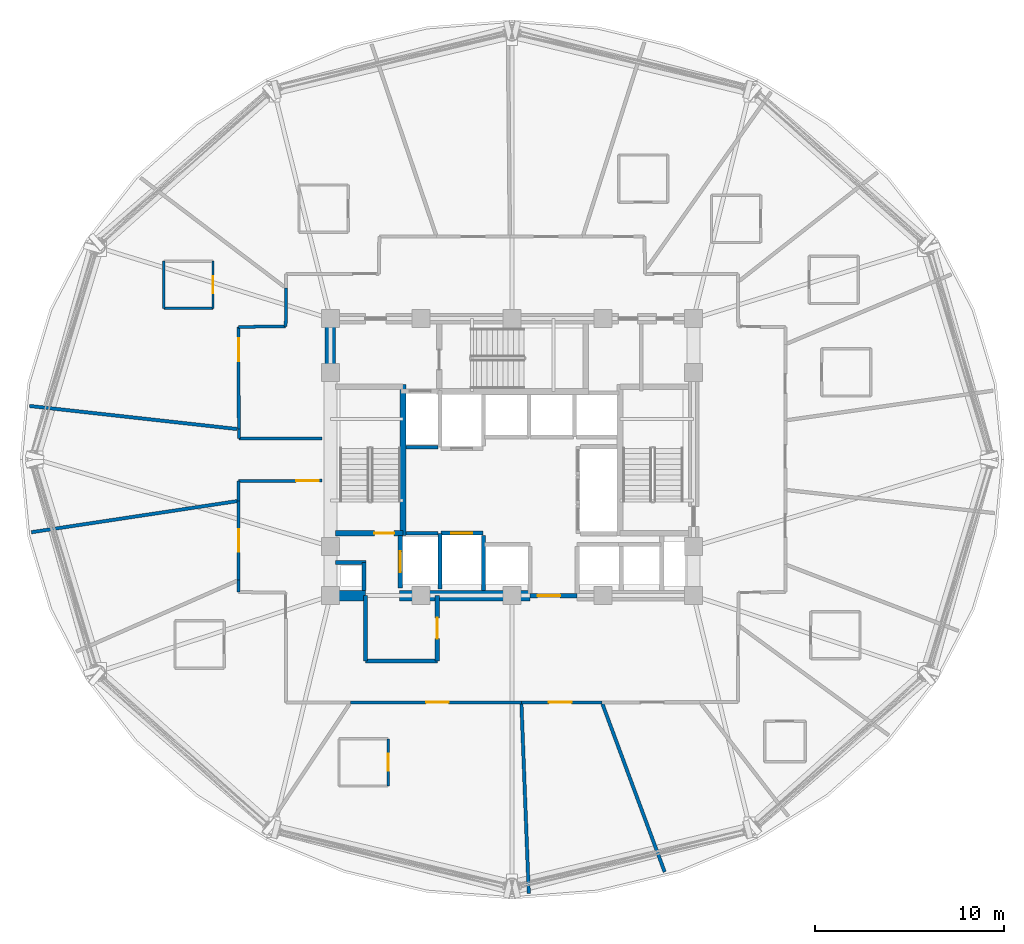
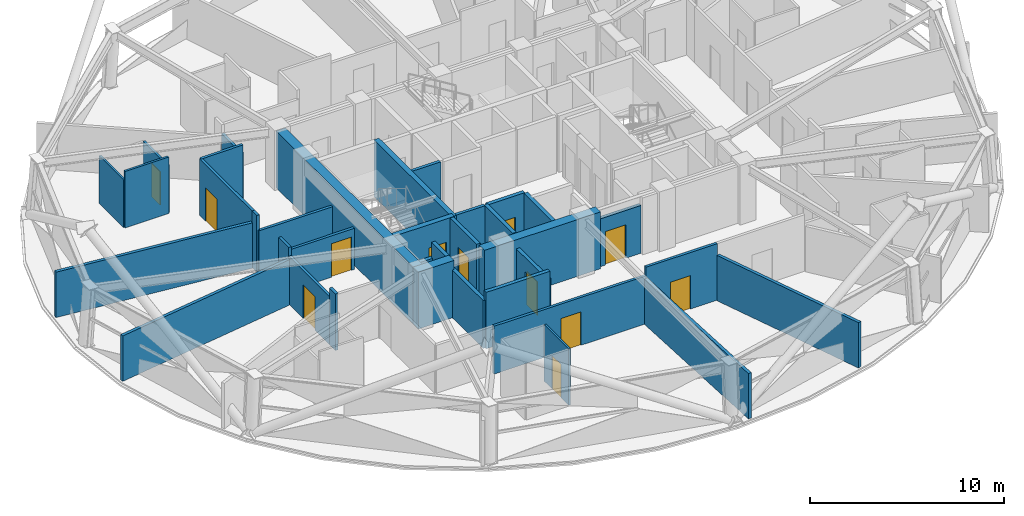
# One storey, part 6 of 13: 36 walls, 12 doors, 12 openings.
"""IFC4 building model written with IfcOpenShell, lengths in metres."""

from ifc_helpers import new_model, si_unit, direction, frame, frame_2d, origin, place, context, subcontext, project, spatial, rectangle, extrude, material, layer, layer_set, type_object, element, fill, save


model = new_model("IFC4")

# Units and contexts
model_context = context("Model", 3, precision=1e-05, world=origin(), true_north=direction((0.0, 1.0)))
body_context = subcontext(model_context, "Body", "Model", "MODEL_VIEW")
ifc_project = project(units=[si_unit("LENGTHUNIT", "METRE"), si_unit("AREAUNIT", "SQUARE_METRE"), si_unit("VOLUMEUNIT", "CUBIC_METRE"), si_unit("PLANEANGLEUNIT", "RADIAN"), si_unit("MASSUNIT", "GRAM", prefix="KILO")], contexts=[model_context])

# Site, building, storey
site_placement = place(None, origin())
site = spatial("IfcSite", under=ifc_project, at=site_placement, CompositionType="ELEMENT")
building_placement = place(site_placement, origin())
building = spatial("IfcBuilding", under=site, at=building_placement, Name="Vantalir Tower", CompositionType="ELEMENT")
storey_placement = place(building_placement, frame((0.0, 0.0, 127.199951171875)))
storey = spatial("IfcBuildingStorey", under=building, at=storey_placement, Name="L31", CompositionType="ELEMENT", Elevation=127.199951171875)

# Walls
ifc_material_1 = material(Name="Moisture-resistant en-suite partition", Category="gypsum")
ifc_layer_1 = layer(ifc_material_1, 0.125)
ifc_layer_set_1 = layer_set([ifc_layer_1], Name="Moisture-resistant en-suite partition")
wall_type_1 = type_object("IfcWallType", Name="WL-BATH-125", PredefinedType="PARTITIONING", material=ifc_layer_set_1)
wall_1_placement = place(storey_placement, frame((13.090087890625, 32.993896484375, 0.0), z_axis=(0.0, 0.0, 1.0), x_axis=(1.0, 0.0, 0.0)))
element("IfcWall", 1, at=wall_1_placement, inside=storey, type_object=wall_type_1, Name="L31 En-suite 08 South Wall", PredefinedType="PARTITIONING", context=body_context, shape_type="SweptSolid", body=[
    extrude(rectangle(XDim=2.599853515625, YDim=0.125, at=frame_2d((1.2998046875, 0.0))), origin(), (0.0, 0.0, 1.0), 3.550048828125),
])
wall_2_placement = place(storey_placement, frame((13.090087890625, 32.993896484375, 0.0), z_axis=(0.0, 0.0, 1.0), x_axis=(0.0, 1.0, 0.0)))
element("IfcWall", 2, at=wall_2_placement, inside=storey, type_object=wall_type_1, Name="L31 En-suite 08 West Wall", PredefinedType="PARTITIONING", context=body_context, shape_type="SweptSolid", body=[
    extrude(rectangle(XDim=2.5, YDim=0.125, at=frame_2d((1.25, 0.0))), origin(), (0.0, 0.0, 1.0), 3.006103515625),
])

# Wall, opening, door
wall_3_placement = place(storey_placement, frame((15.68994140625, 32.993896484375, 0.0), z_axis=(0.0, 0.0, 1.0), x_axis=(0.0, 1.0, 0.0)))
wall_3 = element("IfcWall", 3, at=wall_3_placement, inside=storey, type_object=wall_type_1, Name="L31 En-suite 08 East Wall", PredefinedType="PARTITIONING", context=body_context, shape_type="SweptSolid", body=[
    extrude(rectangle(XDim=2.5, YDim=0.125, at=frame_2d((1.25, 0.0))), origin(), (0.0, 0.0, 1.0), 3.006103515625),
])
opening_1_placement = place(wall_3_placement, frame((0.800048828125, 0.0, 0.0)))
opening_1 = element("IfcOpeningElement", 4, at=opening_1_placement, cuts=wall_3, Name="Opening D-WC", PredefinedType="OPENING", context=body_context, shape_type="SweptSolid", body=[
    extrude(rectangle(XDim=0.89990234375, YDim=2.10009765625, at=frame_2d((0.449951171875, 1.050048828125))), frame((0.0, 0.072509765625, 0.0), z_axis=(0.0, -1.0, 0.0), x_axis=(1.0, 0.0, 0.0)), (0.0, 0.0, 1.0), 0.14501953125),
])
ifc_material_2 = material(Name="Moisture-resistant hardwood door", Category="wood")
door_type_1 = type_object("IfcDoorType", Name="DR-ENSUITE-900", OperationType="NOTDEFINED", PredefinedType="DOOR", material=ifc_material_2)
door_1_placement = place(opening_1_placement, origin())
door_1 = element("IfcDoor", 5, at=door_1_placement, inside=storey, type_object=door_type_1, Name="L31 En-suite 08 Door", OperationType="SINGLE_SWING_RIGHT", OverallHeight=2.10009765625, OverallWidth=0.89990234375, PredefinedType="DOOR", context=body_context, shape_type="SweptSolid", body=[
    extrude(rectangle(XDim=0.89990234375, YDim=2.10009765625, at=frame_2d((0.449951171875, 1.050048828125))), frame((0.0, 0.02490234375, 0.0), z_axis=(0.0, -1.0, 0.0), x_axis=(1.0, 0.0, 0.0)), (0.0, 0.0, 1.0), 0.050048828125),
])
fill(opening_1, door_1)

wall_4_placement = place(storey_placement, frame((24.9541015625, 7.735107421875, 0.0), z_axis=(0.0, 0.0, 1.0), x_axis=(0.0, 1.0, 0.0)))
wall_4 = element("IfcWall", 6, at=wall_4_placement, inside=storey, type_object=wall_type_1, Name="L31 En-suite 12 East Wall", PredefinedType="PARTITIONING", context=body_context, shape_type="SweptSolid", body=[
    extrude(rectangle(XDim=2.5, YDim=0.125, at=frame_2d((1.25, 0.0))), origin(), (0.0, 0.0, 1.0), 3.550048828125),
])
opening_2_placement = place(wall_4_placement, frame((0.800048828125, 0.0, 0.0)))
opening_2 = element("IfcOpeningElement", 7, at=opening_2_placement, cuts=wall_4, Name="Opening D-WC", PredefinedType="OPENING", context=body_context, shape_type="SweptSolid", body=[
    extrude(rectangle(XDim=0.89990234375, YDim=2.10009765625, at=frame_2d((0.449951171875, 1.050048828125))), frame((0.0, 0.072509765625, 0.0), z_axis=(0.0, -1.0, 0.0), x_axis=(1.0, 0.0, 0.0)), (0.0, 0.0, 1.0), 0.14501953125),
])
door_2_placement = place(opening_2_placement, origin())
door_2 = element("IfcDoor", 8, at=door_2_placement, inside=storey, type_object=door_type_1, Name="L31 En-suite 12 Door", OperationType="SINGLE_SWING_RIGHT", OverallHeight=2.10009765625, OverallWidth=0.89990234375, PredefinedType="DOOR", context=body_context, shape_type="SweptSolid", body=[
    extrude(rectangle(XDim=0.89990234375, YDim=2.10009765625, at=frame_2d((0.449951171875, 1.050048828125))), frame((0.0, 0.02490234375, 0.0), z_axis=(0.0, -1.0, 0.0), x_axis=(1.0, 0.0, 0.0)), (0.0, 0.0, 1.0), 0.050048828125),
])
fill(opening_2, door_2)

# Walls
ifc_material_3 = material(Name="Concrete C60/75", Category="concrete")
ifc_layer_2 = layer(ifc_material_3, 0.550048828125)
ifc_layer_set_2 = layer_set([ifc_layer_2], Name="Concrete C60/75")
wall_type_2 = type_object("IfcWallType", Name="WL-CORE-550", PredefinedType="SHEAR", material=ifc_layer_set_2)
wall_5_placement = place(storey_placement, frame((21.625, 17.800048828125, 0.0), z_axis=(0.0, 0.0, 1.0), x_axis=(1.0, 0.0, 0.0)))
element("IfcWall", 9, at=wall_5_placement, inside=storey, type_object=wall_type_2, Name="L31 Core Shear Wall South-West", PredefinedType="SHEAR", context=body_context, shape_type="SweptSolid", body=[
    extrude(rectangle(XDim=2.125, YDim=0.550048828125, at=frame_2d((1.0625, 0.0))), origin(), (0.0, 0.0, 1.0), 3.570068359375),
])
wall_6_placement = place(storey_placement, frame((25.550048828125, 17.800048828125, 0.0), z_axis=(0.0, 0.0, 1.0), x_axis=(1.0, 0.0, 0.0)))
element("IfcWall", 10, at=wall_6_placement, inside=storey, type_object=wall_type_2, Name="L31 Core Shear Wall South-Mid", PredefinedType="SHEAR", context=body_context, shape_type="SweptSolid", body=[
    extrude(rectangle(XDim=6.89990234375, YDim=0.550048828125, at=frame_2d((3.449951171875, 0.0))), origin(), (0.0, 0.0, 1.0), 3.570068359375),
])
wall_7_placement = place(storey_placement, frame((21.89990234375, 18.074951171875, 0.0), z_axis=(0.0, 0.0, 1.0), x_axis=(0.0, 1.0, 0.0)))
element("IfcWall", 11, at=wall_7_placement, inside=storey, type_object=wall_type_2, Name="L31 Core Shear Wall West", PredefinedType="SHEAR", context=body_context, shape_type="SweptSolid", body=[
    extrude(rectangle(XDim=14.10009765625, YDim=0.550048828125, at=frame_2d((7.050048828125, 0.0))), origin(), (0.0, 0.0, 1.0), 3.570068359375),
])
ifc_material_4 = material(Name="Fire-rated hotel corridor acoustic partition", Category="gypsum")
ifc_layer_3 = layer(ifc_material_4, 0.159912109375)
ifc_layer_set_3 = layer_set([ifc_layer_3], Name="Fire-rated hotel corridor acoustic partition")
wall_type_3 = type_object("IfcWallType", Name="WL-CORR-160", PredefinedType="PARTITIONING", material=ifc_layer_set_3)
wall_8_placement = place(storey_placement, frame((21.445068359375, 26.114990234375, 0.0), z_axis=(0.0, 0.0, 1.0), x_axis=(-0.999997401834, 0.002279544839, 0.0)))
element("IfcWall", 12, at=wall_8_placement, inside=storey, type_object=wall_type_3, Name="L31 Corridor Partition 01", PredefinedType="PARTITIONING", context=body_context, shape_type="SweptSolid", body=[
    extrude(rectangle(XDim=4.39111328125, YDim=0.159912109375, at=frame_2d((2.195556640625, 0.0))), origin(), (0.0, 0.0, 1.0), 2.594970703125),
])
wall_9_placement = place(storey_placement, frame((17.053955078125, 26.125, 0.0), z_axis=(0.0, 0.0, 1.0), x_axis=(-0.002038731747, 0.999997921784, 0.0)))
element("IfcWall", 13, at=wall_9_placement, inside=storey, type_object=wall_type_3, Name="L31 Corridor Partition 02", PredefinedType="PARTITIONING", context=body_context, shape_type="SweptSolid", body=[
    extrude(rectangle(XDim=0.47900390625, YDim=0.159912109375, at=frame_2d((0.239501953125, 0.0))), origin(), (0.0, 0.0, 1.0), 3.550048828125),
])

# Wall, opening, door
wall_10_placement = place(storey_placement, frame((17.052978515625, 26.60400390625, 0.0), z_axis=(0.0, 0.0, 1.0), x_axis=(-0.001083471894, 0.999999413044, 0.0)))
wall_10 = element("IfcWall", 14, at=wall_10_placement, inside=storey, type_object=wall_type_3, Name="L31 Corridor Partition 03", PredefinedType="PARTITIONING", context=body_context, shape_type="SweptSolid", body=[
    extrude(rectangle(XDim=5.407958984375, YDim=0.159912109375, at=frame_2d((2.7041015625, 0.0))), origin(), (0.0, 0.0, 1.0), 3.550048828125),
])
opening_3_placement = place(wall_10_placement, frame((3.59912109375, 0.0, 0.0)))
opening_3 = element("IfcOpeningElement", 15, at=opening_3_placement, cuts=wall_10, Name="Opening D-STE", PredefinedType="OPENING", context=body_context, shape_type="SweptSolid", body=[
    extrude(rectangle(XDim=1.199951171875, YDim=2.10009765625, at=frame_2d((0.60009765625, 1.050048828125))), frame((0.0, 0.08984375, 0.0), z_axis=(0.0, -1.0, 0.0), x_axis=(1.0, 0.0, 0.0)), (0.0, 0.0, 1.0), 0.179931640625),
])
ifc_material_5 = material(Name="Solid-core teak veneer suite entrance door", Category="wood")
door_type_2 = type_object("IfcDoorType", Name="DR-SUITE-ENTRY-1200", OperationType="NOTDEFINED", PredefinedType="DOOR", material=ifc_material_5)
door_3_placement = place(opening_3_placement, origin())
door_3 = element("IfcDoor", 16, at=door_3_placement, inside=storey, type_object=door_type_2, Name="L31 Corner Panorama Hotel Suite 08 Door", OperationType="SINGLE_SWING_LEFT", OverallHeight=2.10009765625, OverallWidth=1.199951171875, PredefinedType="DOOR", context=body_context, shape_type="SweptSolid", body=[
    extrude(rectangle(XDim=1.199951171875, YDim=2.10009765625, at=frame_2d((0.60009765625, 1.050048828125))), frame((0.0, 0.02490234375, 0.0), z_axis=(0.0, -1.0, 0.0), x_axis=(1.0, 0.0, 0.0)), (0.0, 0.0, 1.0), 0.050048828125),
])
fill(opening_3, door_3)

# Walls
wall_11_placement = place(storey_placement, frame((17.047119140625, 32.011962890625, 0.0), z_axis=(0.0, 0.0, 1.0), x_axis=(0.999936323991, 0.011284855472, 0.0)))
element("IfcWall", 17, at=wall_11_placement, inside=storey, type_object=wall_type_3, Name="L31 Corridor Partition 04", PredefinedType="PARTITIONING", context=body_context, shape_type="SweptSolid", body=[
    extrude(rectangle(XDim=2.488037109375, YDim=0.159912109375, at=frame_2d((1.244140625, 0.0))), origin(), (0.0, 0.0, 1.0), 3.550048828125),
])
wall_12_placement = place(storey_placement, frame((19.534912109375, 32.0400390625, 0.0), z_axis=(0.0, 0.0, 1.0), x_axis=(0.008934683203, 0.999960084921, 0.0)))
element("IfcWall", 18, at=wall_12_placement, inside=storey, type_object=wall_type_3, Name="L31 Corridor Partition 05", PredefinedType="PARTITIONING", context=body_context, shape_type="SweptSolid", body=[
    extrude(rectangle(XDim=2.02197265625, YDim=0.159912109375, at=frame_2d((1.010986328125, 0.0))), origin(), (0.0, 0.0, 1.0), 3.006103515625),
])

# Wall, opening, door
wall_13_placement = place(storey_placement, frame((36.2509765625, 12.1640625, 0.0), z_axis=(0.0, 0.0, 1.0), x_axis=(-0.999999894645, -0.000459031395, 0.0)))
wall_13 = element("IfcWall", 19, at=wall_13_placement, inside=storey, type_object=wall_type_3, Name="L31 Corridor Partition 28", PredefinedType="PARTITIONING", context=body_context, shape_type="SweptSolid", body=[
    extrude(rectangle(XDim=4.2548828125, YDim=0.159912109375, at=frame_2d((2.12744140625, 0.0))), origin(), (0.0, 0.0, 1.0), 3.550048828125),
])
opening_4_placement = place(wall_13_placement, frame((1.59912109375, 0.0, 0.0)))
opening_4 = element("IfcOpeningElement", 20, at=opening_4_placement, cuts=wall_13, Name="Opening D-STE", PredefinedType="OPENING", context=body_context, shape_type="SweptSolid", body=[
    extrude(rectangle(XDim=1.199951171875, YDim=2.10009765625, at=frame_2d((0.60009765625, 1.050048828125))), frame((0.0, 0.08984375, 0.0), z_axis=(0.0, -1.0, 0.0), x_axis=(1.0, 0.0, 0.0)), (0.0, 0.0, 1.0), 0.179931640625),
])
door_4_placement = place(opening_4_placement, origin())
door_4 = element("IfcDoor", 21, at=door_4_placement, inside=storey, type_object=door_type_2, Name="L31 Club Reading Lounge 13 Door", OperationType="SINGLE_SWING_RIGHT", OverallHeight=2.10009765625, OverallWidth=1.199951171875, PredefinedType="DOOR", context=body_context, shape_type="SweptSolid", body=[
    extrude(rectangle(XDim=1.199951171875, YDim=2.10009765625, at=frame_2d((0.60009765625, 1.050048828125))), frame((0.0, 0.02490234375, 0.0), z_axis=(0.0, -1.0, 0.0), x_axis=(1.0, 0.0, 0.0)), (0.0, 0.0, 1.0), 0.050048828125),
])
fill(opening_4, door_4)

wall_14_placement = place(storey_placement, frame((31.99609375, 12.162109375, 0.0), z_axis=(0.0, 0.0, 1.0), x_axis=(-0.999999894397, -0.000459571199, 0.0)))
wall_14 = element("IfcWall", 22, at=wall_14_placement, inside=storey, type_object=wall_type_3, Name="L31 Corridor Partition 29", PredefinedType="PARTITIONING", context=body_context, shape_type="SweptSolid", body=[
    extrude(rectangle(XDim=9.031005859375, YDim=0.159912109375, at=frame_2d((4.515625, 0.0))), origin(), (0.0, 0.0, 1.0), 3.006103515625),
])
opening_5_placement = place(wall_14_placement, frame((3.842041015625, 0.0, 0.0)))
opening_5 = element("IfcOpeningElement", 23, at=opening_5_placement, cuts=wall_14, Name="Opening D-STE", PredefinedType="OPENING", context=body_context, shape_type="SweptSolid", body=[
    extrude(rectangle(XDim=1.199951171875, YDim=2.10009765625, at=frame_2d((0.60009765625, 1.050048828125))), frame((0.0, 0.08984375, 0.0), z_axis=(0.0, -1.0, 0.0), x_axis=(1.0, 0.0, 0.0)), (0.0, 0.0, 1.0), 0.179931640625),
])
door_5_placement = place(opening_5_placement, origin())
door_5 = element("IfcDoor", 24, at=door_5_placement, inside=storey, type_object=door_type_2, Name="L31 Executive Club Hotel Suite 12 Door", OperationType="SINGLE_SWING_LEFT", OverallHeight=2.10009765625, OverallWidth=1.199951171875, PredefinedType="DOOR", context=body_context, shape_type="SweptSolid", body=[
    extrude(rectangle(XDim=1.199951171875, YDim=2.10009765625, at=frame_2d((0.60009765625, 1.050048828125))), frame((0.0, 0.02490234375, 0.0), z_axis=(0.0, -1.0, 0.0), x_axis=(1.0, 0.0, 0.0)), (0.0, 0.0, 1.0), 0.050048828125),
])
fill(opening_5, door_5)

# Wall
wall_15_placement = place(storey_placement, frame((17.0458984375, 17.991943359375, 0.0), z_axis=(0.0, 0.0, 1.0), x_axis=(0.0, 1.0, 0.0)))
element("IfcWall", 25, at=wall_15_placement, inside=storey, type_object=wall_type_3, Name="L31 Corridor Partition 33", PredefinedType="PARTITIONING", context=body_context, shape_type="SweptSolid", body=[
    extrude(rectangle(XDim=0.635009765625, YDim=0.159912109375, at=frame_2d((0.3173828125, 0.0))), origin(), (0.0, 0.0, 1.0), 3.550048828125),
])

# Wall, opening, door
wall_16_placement = place(storey_placement, frame((17.0458984375, 18.626953125, 0.0), z_axis=(0.0, 0.0, 1.0), x_axis=(0.0, 1.0, 0.0)))
wall_16 = element("IfcWall", 26, at=wall_16_placement, inside=storey, type_object=wall_type_3, Name="L31 Corridor Partition 34", PredefinedType="PARTITIONING", context=body_context, shape_type="SweptSolid", body=[
    extrude(rectangle(XDim=4.18701171875, YDim=0.159912109375, at=frame_2d((2.093505859375, 0.0))), origin(), (0.0, 0.0, 1.0), 3.006103515625),
])
opening_6_placement = place(wall_16_placement, frame((1.493896484375, 0.0, 0.0)))
opening_6 = element("IfcOpeningElement", 27, at=opening_6_placement, cuts=wall_16, Name="Opening D-STE", PredefinedType="OPENING", context=body_context, shape_type="SweptSolid", body=[
    extrude(rectangle(XDim=1.199951171875, YDim=2.10009765625, at=frame_2d((0.60009765625, 1.050048828125))), frame((0.0, 0.08984375, 0.0), z_axis=(0.0, -1.0, 0.0), x_axis=(1.0, 0.0, 0.0)), (0.0, 0.0, 1.0), 0.179931640625),
])
door_6_placement = place(opening_6_placement, origin())
door_6 = element("IfcDoor", 28, at=door_6_placement, inside=storey, type_object=door_type_2, Name="L31 Executive Sky Boardroom 10 Door", OperationType="SINGLE_SWING_LEFT", OverallHeight=2.10009765625, OverallWidth=1.199951171875, PredefinedType="DOOR", context=body_context, shape_type="SweptSolid", body=[
    extrude(rectangle(XDim=1.199951171875, YDim=2.10009765625, at=frame_2d((0.60009765625, 1.050048828125))), frame((0.0, 0.02490234375, 0.0), z_axis=(0.0, -1.0, 0.0), x_axis=(1.0, 0.0, 0.0)), (0.0, 0.0, 1.0), 0.050048828125),
])
fill(opening_6, door_6)

# Wall
wall_17_placement = place(storey_placement, frame((17.0458984375, 22.81396484375, 0.0), z_axis=(0.0, 0.0, 1.0), x_axis=(0.0, 1.0, 0.0)))
element("IfcWall", 29, at=wall_17_placement, inside=storey, type_object=wall_type_3, Name="L31 Corridor Partition 35", PredefinedType="PARTITIONING", context=body_context, shape_type="SweptSolid", body=[
    extrude(rectangle(XDim=1.0439453125, YDim=0.159912109375, at=frame_2d((0.52197265625, 0.0))), origin(), (0.0, 0.0, 1.0), 3.550048828125),
])

# Wall, opening, door
wall_18_placement = place(storey_placement, frame((17.0458984375, 23.85791015625, 0.0), z_axis=(0.0, 0.0, 1.0), x_axis=(0.999982369497, 0.005938071676, 0.0)))
wall_18 = element("IfcWall", 30, at=wall_18_placement, inside=storey, type_object=wall_type_3, Name="L31 Corridor Partition 36", PredefinedType="PARTITIONING", context=body_context, shape_type="SweptSolid", body=[
    extrude(rectangle(XDim=4.399169921875, YDim=0.159912109375, at=frame_2d((2.19970703125, 0.0))), origin(), (0.0, 0.0, 1.0), 2.594970703125),
])
opening_7_placement = place(wall_18_placement, frame((3.0390625, 0.0, 0.0)))
opening_7 = element("IfcOpeningElement", 31, at=opening_7_placement, cuts=wall_18, Name="Opening D-STE", PredefinedType="OPENING", context=body_context, shape_type="SweptSolid", body=[
    extrude(rectangle(XDim=1.199951171875, YDim=2.10009765625, at=frame_2d((0.60009765625, 1.050048828125))), frame((0.0, 0.08984375, 0.0), z_axis=(0.0, -1.0, 0.0), x_axis=(1.0, 0.0, 0.0)), (0.0, 0.0, 1.0), 0.179931640625),
])
door_7_placement = place(opening_7_placement, origin())
door_7 = element("IfcDoor", 32, at=door_7_placement, inside=storey, type_object=door_type_2, Name="L31 Club Reading Lounge 09 Door", OperationType="SINGLE_SWING_RIGHT", OverallHeight=2.10009765625, OverallWidth=1.199951171875, PredefinedType="DOOR", context=body_context, shape_type="SweptSolid", body=[
    extrude(rectangle(XDim=1.199951171875, YDim=2.10009765625, at=frame_2d((0.60009765625, 1.050048828125))), frame((0.0, 0.02490234375, 0.0), z_axis=(0.0, -1.0, 0.0), x_axis=(1.0, 0.0, 0.0)), (0.0, 0.0, 1.0), 0.050048828125),
])
fill(opening_7, door_7)

# Wall
ifc_material_6 = material(Name="Concrete blockwork with fireboard lining", Category="masonry")
ifc_layer_4 = layer(ifc_material_6, 0.219970703125)
ifc_layer_set_4 = layer_set([ifc_layer_4], Name="Concrete blockwork with fireboard lining")
wall_type_4 = type_object("IfcWallType", Name="WL-FFL-220", PredefinedType="PARTITIONING", material=ifc_layer_set_4)
wall_19_placement = place(storey_placement, frame((30.0, 18.080078125, 0.0), z_axis=(0.0, 0.0, 1.0), x_axis=(0.0, 1.0, 0.0)))
element("IfcWall", 33, at=wall_19_placement, inside=storey, type_object=wall_type_4, Name="L31 Service Lift SV1 East Shaft Wall", PredefinedType="PARTITIONING", context=body_context, shape_type="SweptSolid", body=[
    extrude(rectangle(XDim=2.89990234375, YDim=0.219970703125, at=frame_2d((1.449951171875, 0.0))), origin(), (0.0, 0.0, 1.0), 3.545166015625),
])

# Wall, opening, door
wall_20_placement = place(storey_placement, frame((32.449951171875, 17.800048828125, 0.0), z_axis=(0.0, 0.0, 1.0), x_axis=(1.0, 0.0, 0.0)))
wall_20 = element("IfcWall", 34, at=wall_20_placement, inside=storey, type_object=wall_type_4, Name="L31 Passenger Lift Lobby South Wall", PredefinedType="PARTITIONING", context=body_context, shape_type="SweptSolid", body=[
    extrude(rectangle(XDim=2.5, YDim=0.219970703125, at=frame_2d((1.25, 0.0))), origin(), (0.0, 0.0, 1.0), 3.006103515625),
])
opening_8_placement = place(wall_20_placement, frame((0.39990234375, 0.0, 0.0)))
opening_8 = element("IfcOpeningElement", 35, at=opening_8_placement, cuts=wall_20, Name="Opening D-STE", PredefinedType="OPENING", context=body_context, shape_type="SweptSolid", body=[
    extrude(rectangle(XDim=1.199951171875, YDim=2.10009765625, at=frame_2d((0.60009765625, 1.050048828125))), frame((0.0, 0.119873046875, 0.0), z_axis=(0.0, -1.0, 0.0), x_axis=(1.0, 0.0, 0.0)), (0.0, 0.0, 1.0), 0.239990234375),
])
door_8_placement = place(opening_8_placement, origin())
door_8 = element("IfcDoor", 36, at=door_8_placement, inside=storey, type_object=door_type_2, Name="L31 Passenger Lift Lobby Concourse Door", OperationType="SINGLE_SWING_RIGHT", OverallHeight=2.10009765625, OverallWidth=1.199951171875, PredefinedType="DOOR", context=body_context, shape_type="SweptSolid", body=[
    extrude(rectangle(XDim=1.199951171875, YDim=2.10009765625, at=frame_2d((0.60009765625, 1.050048828125))), frame((0.0, 0.02490234375, 0.0), z_axis=(0.0, -1.0, 0.0), x_axis=(1.0, 0.0, 0.0)), (0.0, 0.0, 1.0), 0.050048828125),
])
fill(opening_8, door_8)

# Walls
wall_21_placement = place(storey_placement, frame((23.679931640625, 18.074951171875, 0.0), z_axis=(0.0, 0.0, 1.0), x_axis=(0.0, 1.0, 0.0)))
element("IfcWall", 37, at=wall_21_placement, inside=storey, type_object=wall_type_4, Name="L31 West MEP Riser Wall E", PredefinedType="PARTITIONING", context=body_context, shape_type="SweptSolid", body=[
    extrude(rectangle(XDim=1.47509765625, YDim=0.219970703125, at=frame_2d((0.737548828125, 0.0))), origin(), (0.0, 0.0, 1.0), 3.550048828125),
])
wall_22_placement = place(storey_placement, frame((22.175048828125, 19.550048828125, 0.0), z_axis=(0.0, 0.0, 1.0), x_axis=(1.0, 0.0, 0.0)))
element("IfcWall", 38, at=wall_22_placement, inside=storey, type_object=wall_type_4, Name="L31 West MEP Riser Wall N", PredefinedType="PARTITIONING", context=body_context, shape_type="SweptSolid", body=[
    extrude(rectangle(XDim=1.614990234375, YDim=0.219970703125, at=frame_2d((0.8076171875, 0.0))), origin(), (0.0, 0.0, 1.0), 2.594970703125),
])

# Wall, opening, door
wall_23_placement = place(storey_placement, frame((25.590087890625, 18.219970703125, 0.0), z_axis=(0.0, 0.0, 1.0), x_axis=(0.0, 1.0, 0.0)))
wall_23 = element("IfcWall", 39, at=wall_23_placement, inside=storey, type_object=wall_type_4, Name="L31 Lift FL1 Shaft Front Wall", PredefinedType="PARTITIONING", context=body_context, shape_type="SweptSolid", body=[
    extrude(rectangle(XDim=2.760009765625, YDim=0.219970703125, at=frame_2d((1.3798828125, 0.0))), origin(), (0.0, 0.0, 1.0), 3.550048828125),
])
opening_9_placement = place(wall_23_placement, frame((0.830078125, 0.0, 0.0)))
opening_9 = element("IfcOpeningElement", 40, at=opening_9_placement, cuts=wall_23, Name="Opening LD-FL1", PredefinedType="OPENING", context=body_context, shape_type="SweptSolid", body=[
    extrude(rectangle(XDim=1.10009765625, YDim=2.199951171875, at=frame_2d((0.550048828125, 1.10009765625))), frame((0.0, 0.119873046875, 0.0), z_axis=(0.0, -1.0, 0.0), x_axis=(1.0, 0.0, 0.0)), (0.0, 0.0, 1.0), 0.239990234375),
])
ifc_material_7 = material(Name="Brushed stainless-steel sliding lift landing door", Category="steel")
door_type_3 = type_object("IfcDoorType", Name="DR-LIFT-LANDING-1100", OperationType="DOUBLE_DOOR_SLIDING", PredefinedType="DOOR", material=ifc_material_7)
door_9_placement = place(opening_9_placement, origin())
door_9 = element("IfcDoor", 41, at=door_9_placement, inside=storey, type_object=door_type_3, Name="L31 Lift Landing Door FL1", OperationType="DOUBLE_DOOR_SLIDING", OverallHeight=2.199951171875, OverallWidth=1.10009765625, PredefinedType="DOOR", context=body_context, shape_type="SweptSolid", body=[
    extrude(rectangle(XDim=1.10009765625, YDim=2.199951171875, at=frame_2d((0.550048828125, 1.10009765625))), frame((0.0, 0.02490234375, 0.0), z_axis=(0.0, -1.0, 0.0), x_axis=(1.0, 0.0, 0.0)), (0.0, 0.0, 1.0), 0.050048828125),
])
fill(opening_9, door_9)

wall_24_placement = place(storey_placement, frame((27.739990234375, 21.110107421875, 0.0), z_axis=(0.0, 0.0, 1.0), x_axis=(1.0, 0.0, 0.0)))
wall_24 = element("IfcWall", 42, at=wall_24_placement, inside=storey, type_object=wall_type_4, Name="L31 Lift SV1 Shaft Front Wall", PredefinedType="PARTITIONING", context=body_context, shape_type="SweptSolid", body=[
    extrude(rectangle(XDim=2.219970703125, YDim=0.219970703125, at=frame_2d((1.10986328125, 0.0))), origin(), (0.0, 0.0, 1.0), 3.550048828125),
])
opening_10_placement = place(wall_24_placement, frame((0.56005859375, 0.0, 0.0)))
opening_10 = element("IfcOpeningElement", 43, at=opening_10_placement, cuts=wall_24, Name="Opening LD-SV1", PredefinedType="OPENING", context=body_context, shape_type="SweptSolid", body=[
    extrude(rectangle(XDim=1.10009765625, YDim=2.199951171875, at=frame_2d((0.550048828125, 1.10009765625))), frame((0.0, 0.119873046875, 0.0), z_axis=(0.0, -1.0, 0.0), x_axis=(1.0, 0.0, 0.0)), (0.0, 0.0, 1.0), 0.239990234375),
])
door_10_placement = place(opening_10_placement, origin())
door_10 = element("IfcDoor", 44, at=door_10_placement, inside=storey, type_object=door_type_3, Name="L31 Lift Landing Door SV1", OperationType="DOUBLE_DOOR_SLIDING", OverallHeight=2.199951171875, OverallWidth=1.10009765625, PredefinedType="DOOR", context=body_context, shape_type="SweptSolid", body=[
    extrude(rectangle(XDim=1.10009765625, YDim=2.199951171875, at=frame_2d((0.550048828125, 1.10009765625))), frame((0.0, 0.02490234375, 0.0), z_axis=(0.0, -1.0, 0.0), x_axis=(1.0, 0.0, 0.0)), (0.0, 0.0, 1.0), 0.050048828125),
])
fill(opening_10, door_10)

# Walls
wall_25_placement = place(storey_placement, frame((27.699951171875, 18.14990234375, 0.0), z_axis=(0.0, 0.0, 1.0), x_axis=(0.0, 1.0, 0.0)))
element("IfcWall", 45, at=wall_25_placement, inside=storey, type_object=wall_type_4, Name="L31 Fire Lift FL1 Dividing Wall", PredefinedType="PARTITIONING", context=body_context, shape_type="SweptSolid", body=[
    extrude(rectangle(XDim=2.9501953125, YDim=0.219970703125, at=frame_2d((1.47509765625, 0.0))), origin(), (0.0, 0.0, 1.0), 3.550048828125),
])
wall_26_placement = place(storey_placement, frame((23.75, 14.35009765625, 0.0), z_axis=(0.0, 0.0, 1.0), x_axis=(0.0, 1.0, 0.0)))
element("IfcWall", 46, at=wall_26_placement, inside=storey, type_object=wall_type_4, Name="L31 Firefighting Lobby West Outer W", PredefinedType="PARTITIONING", context=body_context, shape_type="SweptSolid", body=[
    extrude(rectangle(XDim=3.449951171875, YDim=0.219970703125, at=frame_2d((1.72509765625, 0.0))), origin(), (0.0, 0.0, 1.0), 3.006103515625),
])
wall_27_placement = place(storey_placement, frame((23.75, 14.35009765625, 0.0), z_axis=(0.0, 0.0, 1.0), x_axis=(1.0, 0.0, 0.0)))
element("IfcWall", 47, at=wall_27_placement, inside=storey, type_object=wall_type_4, Name="L31 Firefighting Lobby West South Wall", PredefinedType="PARTITIONING", context=body_context, shape_type="SweptSolid", body=[
    extrude(rectangle(XDim=3.800048828125, YDim=0.219970703125, at=frame_2d((1.89990234375, 0.0))), origin(), (0.0, 0.0, 1.0), 3.550048828125),
])

# Wall, opening, door
wall_28_placement = place(storey_placement, frame((27.550048828125, 14.35009765625, 0.0), z_axis=(0.0, 0.0, 1.0), x_axis=(0.0, 1.0, 0.0)))
wall_28 = element("IfcWall", 48, at=wall_28_placement, inside=storey, type_object=wall_type_4, Name="L31 Firefighting Lobby West East Wall", PredefinedType="PARTITIONING", context=body_context, shape_type="SweptSolid", body=[
    extrude(rectangle(XDim=3.449951171875, YDim=0.219970703125, at=frame_2d((1.72509765625, 0.0))), origin(), (0.0, 0.0, 1.0), 3.006103515625),
])
opening_11_placement = place(wall_28_placement, frame((1.175048828125, 0.0, 0.0)))
opening_11 = element("IfcOpeningElement", 49, at=opening_11_placement, cuts=wall_28, Name="Opening D-FFL", PredefinedType="OPENING", context=body_context, shape_type="SweptSolid", body=[
    extrude(rectangle(XDim=1.10009765625, YDim=2.10009765625, at=frame_2d((0.550048828125, 1.050048828125))), frame((0.0, 0.119873046875, 0.0), z_axis=(0.0, -1.0, 0.0), x_axis=(1.0, 0.0, 0.0)), (0.0, 0.0, 1.0), 0.239990234375),
])
ifc_material_8 = material(Name="Fire-rated acoustic steel door", Category="steel")
door_type_4 = type_object("IfcDoorType", Name="DR-FIRE-LOBBY-1100", OperationType="NOTDEFINED", PredefinedType="DOOR", material=ifc_material_8)
door_11_placement = place(opening_11_placement, origin())
door_11 = element("IfcDoor", 50, at=door_11_placement, inside=storey, type_object=door_type_4, Name="L31 Firefighting Lobby West Access Door", OperationType="SINGLE_SWING_RIGHT", OverallHeight=2.10009765625, OverallWidth=1.10009765625, PredefinedType="DOOR", context=body_context, shape_type="SweptSolid", body=[
    extrude(rectangle(XDim=1.10009765625, YDim=2.10009765625, at=frame_2d((0.550048828125, 1.050048828125))), frame((0.0, 0.02490234375, 0.0), z_axis=(0.0, -1.0, 0.0), x_axis=(1.0, 0.0, 0.0)), (0.0, 0.0, 1.0), 0.050048828125),
])
fill(opening_11, door_11)

# Walls
ifc_material_9 = material(Name="Twin-stud acoustic fire-rated gypsum partition", Category="gypsum")
ifc_layer_5 = layer(ifc_material_9, 0.179931640625)
ifc_layer_set_5 = layer_set([ifc_layer_5], Name="Twin-stud acoustic fire-rated gypsum partition")
wall_type_5 = type_object("IfcWallType", Name="WL-GUEST-180", PredefinedType="PARTITIONING", material=ifc_layer_set_5)
for number, where, z_axis, x_axis, name in (
    (51, (25.889892578125, 21.10009765625, 0.0), (0.0, 0.0, 1.0), (1.0, 0.0, 0.0), "L31 Freed West Core South Wall"),
    (52, (25.889892578125, 25.64990234375, 0.0), (0.0, 0.0, 1.0), (1.0, 0.0, 0.0), "L31 Freed West Core North Wall"),
):
    element("IfcWall", number, at=place(storey_placement, frame(where, z_axis=z_axis, x_axis=x_axis)), inside=storey, type_object=wall_type_5, Name=name, PredefinedType="PARTITIONING", context=body_context, shape_type="SweptSolid", body=[
        extrude(rectangle(XDim=1.7001953125, YDim=0.179931640625, at=frame_2d((0.85009765625, 0.0))), origin(), (0.0, 0.0, 1.0), 3.550048828125),
    ])
wall_29_placement = place(storey_placement, frame((16.969970703125, 26.613037109375, 0.0), z_axis=(0.0, 0.0, 1.0), x_axis=(-0.993895854214, 0.110322395627, 0.0)))
element("IfcWall", 53, at=wall_29_placement, inside=storey, type_object=wall_type_5, Name="L31 Radial Suite Partition 09", PredefinedType="PARTITIONING", context=body_context, shape_type="SweptSolid", body=[
    extrude(rectangle(XDim=11.04931640625, YDim=0.179931640625, at=frame_2d((5.524658203125, 0.0))), origin(), (0.0, 0.0, 1.0), 2.85302734375),
])
wall_30_placement = place(storey_placement, frame((16.969970703125, 22.802001953125, 0.0), z_axis=(0.0, 0.0, 1.0), x_axis=(-0.988755191882, -0.14954320622, 0.0)))
element("IfcWall", 54, at=wall_30_placement, inside=storey, type_object=wall_type_5, Name="L31 Radial Suite Partition 10", PredefinedType="PARTITIONING", context=body_context, shape_type="SweptSolid", body=[
    extrude(rectangle(XDim=11.0068359375, YDim=0.179931640625, at=frame_2d((5.50341796875, 0.0))), origin(), (0.0, 0.0, 1.0), 2.85302734375),
])
wall_31_placement = place(storey_placement, frame((31.9990234375, 12.074951171875, 0.0), z_axis=(0.0, 0.0, 1.0), x_axis=(0.038582699769, -0.999255410432, 0.0)))
element("IfcWall", 55, at=wall_31_placement, inside=storey, type_object=wall_type_5, Name="L31 Radial Suite Partition 13", PredefinedType="PARTITIONING", context=body_context, shape_type="SweptSolid", body=[
    extrude(rectangle(XDim=10.029541015625, YDim=0.179931640625, at=frame_2d((5.0146484375, 0.0))), origin(), (0.0, 0.0, 1.0), 2.85302734375),
])
wall_32_placement = place(storey_placement, frame((36.283935546875, 12.074951171875, 0.0), z_axis=(0.0, 0.0, 1.0), x_axis=(0.347176662683, -0.937799746688, 0.0)))
element("IfcWall", 56, at=wall_32_placement, inside=storey, type_object=wall_type_5, Name="L31 Radial Suite Partition 14", PredefinedType="PARTITIONING", context=body_context, shape_type="SweptSolid", body=[
    extrude(rectangle(XDim=9.470947265625, YDim=0.179931640625, at=frame_2d((4.7353515625, 0.0))), origin(), (0.0, 0.0, 1.0), 2.85302734375),
])

# Wall, opening, door
ifc_material_10 = material(Name="Concrete C50/60", Category="concrete")
ifc_layer_6 = layer(ifc_material_10, 0.300048828125)
ifc_layer_set_6 = layer_set([ifc_layer_6], Name="Concrete C50/60")
wall_type_6 = type_object("IfcWallType", Name="WL-STAIR-300", PredefinedType="SHEAR", material=ifc_layer_set_6)
wall_33_placement = place(storey_placement, frame((22.175048828125, 21.10009765625, 0.0), z_axis=(0.0, 0.0, 1.0), x_axis=(1.0, 0.0, 0.0)))
wall_33 = element("IfcWall", 57, at=wall_33_placement, inside=storey, type_object=wall_type_6, Name="L31 Stair ST1 South Wall", PredefinedType="SHEAR", context=body_context, shape_type="SweptSolid", body=[
    extrude(rectangle(XDim=3.56494140625, YDim=0.300048828125, at=frame_2d((1.782470703125, 0.0))), origin(), (0.0, 0.0, 1.0), 3.570068359375),
])
opening_12_placement = place(wall_33_placement, frame((2.044921875, 0.0, 0.0)))
opening_12 = element("IfcOpeningElement", 58, at=opening_12_placement, cuts=wall_33, Name="Opening D-ST", PredefinedType="OPENING", context=body_context, shape_type="SweptSolid", body=[
    extrude(rectangle(XDim=1.050048828125, YDim=2.10009765625, at=frame_2d((0.52490234375, 1.050048828125))), frame((0.0, 0.159912109375, 0.0), z_axis=(0.0, -1.0, 0.0), x_axis=(1.0, 0.0, 0.0)), (0.0, 0.0, 1.0), 0.320068359375),
])
ifc_material_11 = material(Name="Fire-rated steel door leaf", Category="steel")
door_type_5 = type_object("IfcDoorType", Name="DR-FIRE-STAIR-1050", OperationType="NOTDEFINED", PredefinedType="DOOR", material=ifc_material_11)
door_12_placement = place(opening_12_placement, origin())
door_12 = element("IfcDoor", 59, at=door_12_placement, inside=storey, type_object=door_type_5, Name="L31 Exit Stair ST1 Fire Door", OperationType="SINGLE_SWING_RIGHT", OverallHeight=2.10009765625, OverallWidth=1.050048828125, PredefinedType="DOOR", context=body_context, shape_type="SweptSolid", body=[
    extrude(rectangle(XDim=1.050048828125, YDim=2.10009765625, at=frame_2d((0.52490234375, 1.050048828125))), frame((0.0, 0.02490234375, 0.0), z_axis=(0.0, -1.0, 0.0), x_axis=(1.0, 0.0, 0.0)), (0.0, 0.0, 1.0), 0.050048828125),
])
fill(opening_12, door_12)

# Wall
wall_34_placement = place(storey_placement, frame((25.739990234375, 20.97998046875, 0.0), z_axis=(0.0, 0.0, 1.0), x_axis=(0.0, 1.0, 0.0)))
element("IfcWall", 60, at=wall_34_placement, inside=storey, type_object=wall_type_6, Name="L31 Stair ST1 East Wall", PredefinedType="SHEAR", context=body_context, shape_type="SweptSolid", body=[
    extrude(rectangle(XDim=7.989990234375, YDim=0.300048828125, at=frame_2d((3.9951171875, 0.0))), origin(), (0.0, 0.0, 1.0), 3.570068359375),
])

save(model, "model.ifc")
